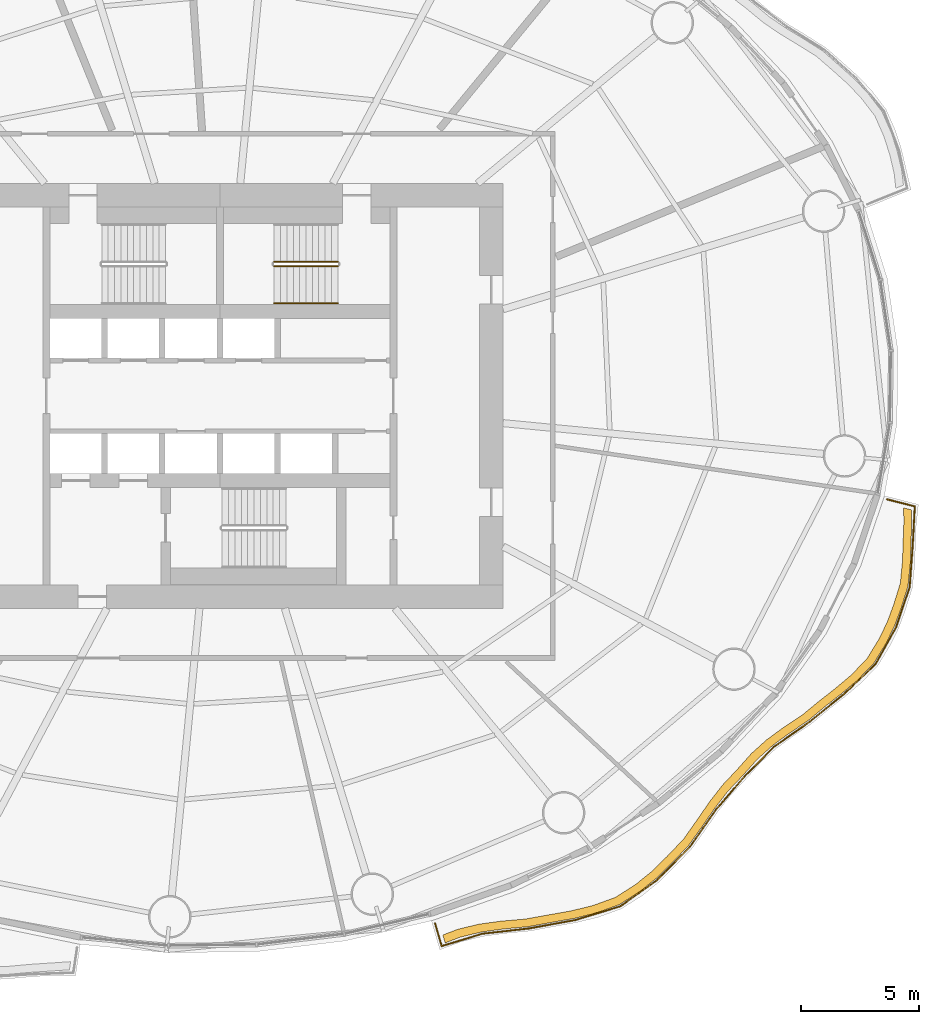
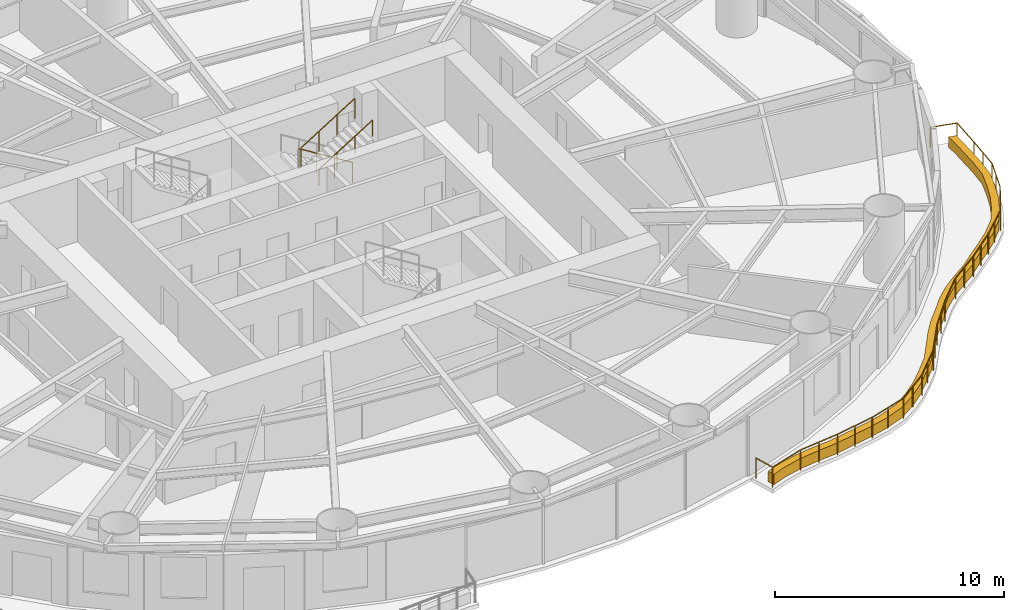
# One storey, part 14 of 16: 4 railings, 1 covering.
"""IFC4 building model written with IfcOpenShell, lengths in metres."""

from ifc_helpers import new_model, si_unit, direction, frame, origin, origin_2d, place, context, subcontext, project, spatial, polyline, circle, outline, extrude, material, type_object, element, save


model = new_model("IFC4")

# Units and contexts
model_context = context("Model", 3, precision=1e-05, world=origin(), true_north=direction((0.0, 1.0)))
body_context = subcontext(model_context, "Body", "Model", "MODEL_VIEW")
ifc_project = project(units=[si_unit("LENGTHUNIT", "METRE"), si_unit("AREAUNIT", "SQUARE_METRE"), si_unit("VOLUMEUNIT", "CUBIC_METRE"), si_unit("PLANEANGLEUNIT", "RADIAN"), si_unit("MASSUNIT", "GRAM", prefix="KILO")], contexts=[model_context])

# Site, building, storey
site_placement = place(None, origin())
site = spatial("IfcSite", under=ifc_project, at=site_placement, CompositionType="ELEMENT")
building_placement = place(site_placement, origin())
building = spatial("IfcBuilding", under=site, at=building_placement, Name="Vermilion Reach Broadcast Tower", CompositionType="ELEMENT")
storey_placement = place(building_placement, frame((0.0, 0.0, 50.800048828125)))
storey = spatial("IfcBuildingStorey", under=building, at=storey_placement, Name="L09", CompositionType="ELEMENT", Elevation=50.800048828125)

# Covering
ifc_material_1 = material(Name="Planting soil and greenery")
covering_type = type_object("IfcCoveringType", Name="Balcony PLANTER", PredefinedType="USERDEFINED", material=ifc_material_1)
covering_placement = place(storey_placement, origin())
element("IfcCovering", 1, at=covering_placement, inside=storey, type_object=covering_type, Name="PLANTER L09 group 4", ObjectType="PLANTER", PredefinedType="USERDEFINED", context=body_context, shape_type="SweptSolid", body=[
    extrude(outline(polyline([(3.545166015625, -23.172607421875), (4.1845703125, -22.927734375), (5.08837890625, -22.70849609375), (6.0244140625, -22.580322265625), (7.067138671875, -22.484619140625), (8.088134765625, -22.296875), (9.02001953125, -22.13134765625), (9.926025390625, -21.912841796875), (10.92138671875, -21.5517578125), (11.795166015625, -20.996826171875), (12.49365234375, -20.43212890625), (13.144775390625, -19.79345703125), (13.86181640625, -19.041748046875), (14.455078125, -18.20849609375), (14.96923828125, -17.462158203125), (15.51611328125, -16.75537109375), (16.16748046875, -16.066650390625), (16.779541015625, -15.38134765625), (17.413818359375, -14.81103515625), (18.10986328125, -14.298828125), (18.921875, -13.755615234375), (19.66162109375, -13.14013671875), (20.342041015625, -12.608154296875), (20.995849609375, -12.05712890625), (21.69921875, -11.333984375), (22.210693359375, -10.498779296875), (22.5693359375, -9.775390625), (22.853759765625, -9.013427734375), (23.148193359375, -8.07470703125), (23.24951171875, -7.103271484375), (23.276611328125, -6.27783203125), (23.3076171875, -5.45361328125), (23.304443359375, -4.829833984375), (22.96533203125, -4.743896484375), (22.975830078125, -5.341552734375), (22.945068359375, -6.165771484375), (22.91796875, -6.9912109375), (22.825927734375, -7.938232421875), (22.542236328125, -8.853271484375), (22.258056640625, -9.615234375), (21.8994140625, -10.3388671875), (21.39990234375, -11.15234375), (20.71044921875, -11.854736328125), (20.056396484375, -12.405517578125), (19.3759765625, -12.937744140625), (18.65087890625, -13.5341796875), (17.854248046875, -14.059814453125), (17.158203125, -14.572021484375), (16.52392578125, -15.14208984375), (15.927734375, -15.811767578125), (15.293212890625, -16.485595703125), (14.746337890625, -17.192138671875), (14.232177734375, -17.938720703125), (13.65576171875, -18.7587890625), (12.956298828125, -19.498291015625), (12.305419921875, -20.13720703125), (11.60693359375, -20.701904296875), (10.750732421875, -21.24609375), (9.7734375, -21.597900390625), (8.867431640625, -21.81640625), (7.935546875, -21.98193359375), (6.9326171875, -22.16162109375), (5.908203125, -22.25), (4.97216796875, -22.378173828125), (4.068359375, -22.59765625), (3.447265625, -22.836669921875), (3.545166015625, -23.172607421875)])), origin(), (0.0, 0.0, 1.0), 0.550048828125),
])

# Railings
ifc_material_2 = material(Name="Stainless steel 316 balustrade", Category="steel")
railing_type_1 = type_object("IfcRailingType", Name="Balcony guard 1100", PredefinedType="BALUSTRADE", material=ifc_material_2)
railing_1_placement = place(storey_placement, frame((3.1162109375, -22.342529296875, 0.0)))
element("IfcRailing", 2, at=railing_1_placement, inside=storey, type_object=railing_type_1, Name="Balcony guard L09 group 4", PredefinedType="BALUSTRADE", context=body_context, shape_type="SweptSolid", body=[
    extrude(circle(Radius=0.02490234375, at=origin_2d()), frame((0.0, 0.0, 1.0751953125), z_axis=(0.279618164465, -0.960111286311, 0.0), x_axis=(0.960111286311, 0.279618164465, 0.0)), (0.0, 0.0, 1.0), 1.006591796875),
    extrude(circle(Radius=0.02490234375, at=origin_2d()), frame((0.281494140625, -0.966552734375, 1.0751953125), z_axis=(0.956286113597, 0.292432674203, 0.0), x_axis=(-0.292432674203, 0.956286113597, 0.0)), (0.0, 0.0, 1.0), 1.7958984375),
    extrude(circle(Radius=0.02490234375, at=origin_2d()), frame((1.998779296875, -0.44140625, 1.0751953125), z_axis=(0.993604630935, 0.112915177832, 0.0), x_axis=(-0.112915177832, 0.993604630935, 0.0)), (0.0, 0.0, 1.0), 1.99560546875),
    extrude(circle(Radius=0.02490234375, at=origin_2d()), frame((3.981689453125, -0.216064453125, 1.0751953125), z_axis=(0.98392289266, 0.178593788525, 0.0), x_axis=(-0.178593788525, 0.98392289266, 0.0)), (0.0, 0.0, 1.0), 1.989013671875),
    extrude(circle(Radius=0.02490234375, at=origin_2d()), frame((5.938720703125, 0.13916015625, 1.0751953125), z_axis=(0.956415282314, 0.292009944619, 0.0), x_axis=(-0.292009944619, 0.956415282314, 0.0)), (0.0, 0.0, 1.0), 1.992431640625),
    extrude(circle(Radius=0.02490234375, at=origin_2d()), frame((7.84423828125, 0.720947265625, 1.0751953125), z_axis=(0.814712880035, 0.579864573073, 0.0), x_axis=(-0.579864573073, 0.814712880035, 0.0)), (0.0, 0.0, 1.0), 1.9345703125),
    extrude(circle(Radius=0.02490234375, at=origin_2d()), frame((9.42041015625, 1.8427734375, 1.0751953125), z_axis=(0.701718340663, 0.712454468985, 0.0), x_axis=(-0.712454468985, 0.701718340663, 0.0)), (0.0, 0.0, 1.0), 1.95556640625),
    extrude(circle(Radius=0.02490234375, at=origin_2d()), frame((10.792724609375, 3.236083984375, 1.0751953125), z_axis=(0.574554853944, 0.818466077372, 0.0), x_axis=(-0.818466077372, 0.574554853944, 0.0)), (0.0, 0.0, 1.0), 1.933837890625),
    extrude(circle(Radius=0.02490234375, at=origin_2d()), frame((11.90380859375, 4.81884765625, 1.0751953125), z_axis=(0.651891644523, 0.758312128217, 0.0), x_axis=(-0.758312128217, 0.651891644523, 0.0)), (0.0, 0.0, 1.0), 1.844482421875),
    extrude(circle(Radius=0.02490234375, at=origin_2d()), frame((13.106201171875, 6.217529296875, 1.0751953125), z_axis=(0.704418322359, 0.709785056989, 0.0), x_axis=(-0.709785056989, 0.704418322359, 0.0)), (0.0, 0.0, 1.0), 1.774169921875),
    extrude(circle(Radius=0.02490234375, at=origin_2d()), frame((14.35595703125, 7.476806640625, 1.0751953125), z_axis=(0.818883840318, 0.573959280843, 0.0), x_axis=(-0.573959280843, 0.818883840318, 0.0)), (0.0, 0.0, 1.0), 1.84619140625),
    extrude(circle(Radius=0.02490234375, at=origin_2d()), frame((15.86767578125, 8.536376953125, 1.0751953125), z_axis=(0.777344223138, 0.629075479377, 0.0), x_axis=(-0.629075479377, 0.777344223138, 0.0)), (0.0, 0.0, 1.0), 1.8310546875),
    extrude(circle(Radius=0.02490234375, at=origin_2d()), frame((17.291015625, 9.688232421875, 1.0751953125), z_axis=(0.728606786604, 0.6849322233, 0.0), x_axis=(-0.6849322233, 0.728606786604, 0.0)), (0.0, 0.0, 1.0), 1.866943359375),
    extrude(circle(Radius=0.02490234375, at=origin_2d()), frame((18.6513671875, 10.967041015625, 1.0751953125), z_axis=(0.487482181995, 0.873132935032, 0.0), x_axis=(-0.873132935032, 0.487482181995, 0.0)), (0.0, 0.0, 1.0), 1.791015625),
    extrude(circle(Radius=0.02490234375, at=origin_2d()), frame((19.5244140625, 12.53076171875, 1.0751953125), z_axis=(0.322519475422, 0.946562828329, 0.0), x_axis=(-0.946562828329, 0.322519475422, 0.0)), (0.0, 0.0, 1.0), 1.80224609375),
    extrude(circle(Radius=0.02490234375, at=origin_2d()), frame((20.105712890625, 14.23681640625, 1.0751953125), z_axis=(0.072274260578, 0.997384795983, 0.0), x_axis=(-0.997384795983, 0.072274260578, 0.0)), (0.0, 0.0, 1.0), 1.80712890625),
    extrude(circle(Radius=0.02490234375, at=origin_2d()), frame((20.236328125, 16.039306640625, 1.0751953125), z_axis=(0.053582915244, 0.998563403693, 0.0), x_axis=(-0.998563403693, 0.053582915244, 0.0)), (0.0, 0.0, 1.0), 1.626708984375),
    extrude(circle(Radius=0.02490234375, at=origin_2d()), frame((20.323486328125, 17.66357421875, 1.0751953125), z_axis=(-0.969320589316, 0.245799908725, 0.0), x_axis=(-0.245799908725, -0.969320589316, 0.0)), (0.0, 0.0, 1.0), 1.2138671875),
    extrude(circle(Radius=0.02490234375, at=origin_2d()), origin(), (0.0, 0.0, 1.0), 1.050048828125),
    extrude(circle(Radius=0.02490234375, at=origin_2d()), frame((0.281494140625, -0.966552734375, 0.0)), (0.0, 0.0, 1.0), 1.050048828125),
    extrude(circle(Radius=0.02490234375, at=origin_2d()), frame((1.998779296875, -0.44140625, 0.0)), (0.0, 0.0, 1.0), 1.050048828125),
    extrude(circle(Radius=0.02490234375, at=origin_2d()), frame((2.990234375, -0.32861328125, 0.0)), (0.0, 0.0, 1.0), 1.050048828125),
    extrude(circle(Radius=0.02490234375, at=origin_2d()), frame((3.981689453125, -0.216064453125, 0.0)), (0.0, 0.0, 1.0), 1.050048828125),
    extrude(circle(Radius=0.02490234375, at=origin_2d()), frame((4.960205078125, -0.03857421875, 0.0)), (0.0, 0.0, 1.0), 1.050048828125),
    extrude(circle(Radius=0.02490234375, at=origin_2d()), frame((5.938720703125, 0.13916015625, 0.0)), (0.0, 0.0, 1.0), 1.050048828125),
    extrude(circle(Radius=0.02490234375, at=origin_2d()), frame((6.8916015625, 0.43017578125, 0.0)), (0.0, 0.0, 1.0), 1.050048828125),
    extrude(circle(Radius=0.02490234375, at=origin_2d()), frame((7.84423828125, 0.720947265625, 0.0)), (0.0, 0.0, 1.0), 1.050048828125),
    extrude(circle(Radius=0.02490234375, at=origin_2d()), frame((8.63232421875, 1.28173828125, 0.0)), (0.0, 0.0, 1.0), 1.050048828125),
    extrude(circle(Radius=0.02490234375, at=origin_2d()), frame((9.42041015625, 1.8427734375, 0.0)), (0.0, 0.0, 1.0), 1.050048828125),
    extrude(circle(Radius=0.02490234375, at=origin_2d()), frame((10.1064453125, 2.53955078125, 0.0)), (0.0, 0.0, 1.0), 1.050048828125),
    extrude(circle(Radius=0.02490234375, at=origin_2d()), frame((10.792724609375, 3.236083984375, 0.0)), (0.0, 0.0, 1.0), 1.050048828125),
    extrude(circle(Radius=0.02490234375, at=origin_2d()), frame((11.34814453125, 4.02734375, 0.0)), (0.0, 0.0, 1.0), 1.050048828125),
    extrude(circle(Radius=0.02490234375, at=origin_2d()), frame((11.90380859375, 4.81884765625, 0.0)), (0.0, 0.0, 1.0), 1.050048828125),
    extrude(circle(Radius=0.02490234375, at=origin_2d()), frame((12.5048828125, 5.51806640625, 0.0)), (0.0, 0.0, 1.0), 1.050048828125),
    extrude(circle(Radius=0.02490234375, at=origin_2d()), frame((13.106201171875, 6.217529296875, 0.0)), (0.0, 0.0, 1.0), 1.050048828125),
    extrude(circle(Radius=0.02490234375, at=origin_2d()), frame((14.35595703125, 7.476806640625, 0.0)), (0.0, 0.0, 1.0), 1.050048828125),
    extrude(circle(Radius=0.02490234375, at=origin_2d()), frame((15.11181640625, 8.006591796875, 0.0)), (0.0, 0.0, 1.0), 1.050048828125),
    extrude(circle(Radius=0.02490234375, at=origin_2d()), frame((15.86767578125, 8.536376953125, 0.0)), (0.0, 0.0, 1.0), 1.050048828125),
    extrude(circle(Radius=0.02490234375, at=origin_2d()), frame((16.579345703125, 9.1123046875, 0.0)), (0.0, 0.0, 1.0), 1.050048828125),
    extrude(circle(Radius=0.02490234375, at=origin_2d()), frame((17.291015625, 9.688232421875, 0.0)), (0.0, 0.0, 1.0), 1.050048828125),
    extrude(circle(Radius=0.02490234375, at=origin_2d()), frame((17.97119140625, 10.32763671875, 0.0)), (0.0, 0.0, 1.0), 1.050048828125),
    extrude(circle(Radius=0.02490234375, at=origin_2d()), frame((18.6513671875, 10.967041015625, 0.0)), (0.0, 0.0, 1.0), 1.050048828125),
    extrude(circle(Radius=0.02490234375, at=origin_2d()), frame((19.5244140625, 12.53076171875, 0.0)), (0.0, 0.0, 1.0), 1.050048828125),
    extrude(circle(Radius=0.02490234375, at=origin_2d()), frame((19.81494140625, 13.3837890625, 0.0)), (0.0, 0.0, 1.0), 1.050048828125),
    extrude(circle(Radius=0.02490234375, at=origin_2d()), frame((20.105712890625, 14.23681640625, 0.0)), (0.0, 0.0, 1.0), 1.050048828125),
    extrude(circle(Radius=0.02490234375, at=origin_2d()), frame((20.1708984375, 15.13818359375, 0.0)), (0.0, 0.0, 1.0), 1.050048828125),
    extrude(circle(Radius=0.02490234375, at=origin_2d()), frame((20.236328125, 16.039306640625, 0.0)), (0.0, 0.0, 1.0), 1.050048828125),
    extrude(circle(Radius=0.02490234375, at=origin_2d()), frame((20.323486328125, 17.66357421875, 0.0)), (0.0, 0.0, 1.0), 1.050048828125),
    extrude(circle(Radius=0.02490234375, at=origin_2d()), frame((19.14697265625, 17.9619140625, 0.0)), (0.0, 0.0, 1.0), 1.050048828125),
])
ifc_material_3 = material(Name="Stainless steel", Category="steel")
railing_type_2 = type_object("IfcRailingType", Name="Stair guard 1100", PredefinedType="GUARDRAIL", material=ifc_material_3)
railing_2_placement = place(storey_placement, frame((-1.0, 5.68994140625, 0.168212890625)))
element("IfcRailing", 3, at=railing_2_placement, inside=storey, type_object=railing_type_2, Name="L09 ST2 stair guard 1", PredefinedType="GUARDRAIL", context=body_context, shape_type="SweptSolid", body=[
    extrude(circle(Radius=0.02392578125, at=origin_2d()), frame((0.0, 0.0, 1.076171875), z_axis=(-0.84882087487, 0.0, 0.528680548522), x_axis=(0.0, -1.0, 0.0)), (0.0, 0.0, 1.0), 3.180908203125),
    extrude(circle(Radius=0.02099609375, at=origin_2d()), origin(), (0.0, 0.0, 1.0), 1.052001953125),
    extrude(circle(Radius=0.02099609375, at=origin_2d()), frame((-0.89990234375, 0.0, 0.560546875)), (0.0, 0.0, 1.0), 1.052001953125),
    extrude(circle(Radius=0.02099609375, at=origin_2d()), frame((-1.800048828125, 0.0, 1.12109375)), (0.0, 0.0, 1.0), 1.052001953125),
    extrude(circle(Radius=0.02099609375, at=origin_2d()), frame((-2.699951171875, 0.0, 1.681640625)), (0.0, 0.0, 1.0), 1.052001953125),
])
railing_3_placement = place(storey_placement, frame((-3.699951171875, 5.489990234375, 2.01806640625)))
element("IfcRailing", 4, at=railing_3_placement, inside=storey, type_object=railing_type_2, Name="L09 ST2 stair guard 3", PredefinedType="GUARDRAIL", context=body_context, shape_type="SweptSolid", body=[
    extrude(circle(Radius=0.02392578125, at=origin_2d()), frame((0.0, 0.0, 1.076171875), z_axis=(0.848786430784, 0.0, 0.528735846068), x_axis=(0.0, 1.0, 0.0)), (0.0, 0.0, 1.0), 3.180908203125),
    extrude(circle(Radius=0.02099609375, at=origin_2d()), origin(), (0.0, 0.0, 1.0), 1.052001953125),
    extrude(circle(Radius=0.02099609375, at=origin_2d()), frame((0.89990234375, 0.0, 0.560546875)), (0.0, 0.0, 1.0), 1.052001953125),
    extrude(circle(Radius=0.02099609375, at=origin_2d()), frame((1.800048828125, 0.0, 1.121337890625)), (0.0, 0.0, 1.0), 1.052001953125),
    extrude(circle(Radius=0.02099609375, at=origin_2d()), frame((2.699951171875, 0.0, 1.681884765625)), (0.0, 0.0, 1.0), 1.052001953125),
])
ifc_material_4 = material(Name="Stainless steel", Category="steel")
railing_type_3 = type_object("IfcRailingType", Name="Stair handrail", PredefinedType="HANDRAIL", material=ifc_material_4)
railing_4_placement = place(storey_placement, frame((-3.699951171875, 3.929931640625, 2.01806640625)))
element("IfcRailing", 5, at=railing_4_placement, inside=storey, type_object=railing_type_3, Name="L09 ST2 stair handrail 2", PredefinedType="HANDRAIL", context=body_context, shape_type="SweptSolid", body=[
    extrude(circle(Radius=0.02392578125, at=origin_2d()), frame((0.0, 0.0, 0.8759765625), z_axis=(0.848786430784, 0.0, 0.528735846068), x_axis=(0.0, 1.0, 0.0)), (0.0, 0.0, 1.0), 3.180908203125),
    extrude(circle(Radius=0.02099609375, at=origin_2d()), origin(), (0.0, 0.0, 1.0), 0.851806640625),
    extrude(circle(Radius=0.02099609375, at=origin_2d()), frame((0.89990234375, 0.0, 0.560546875)), (0.0, 0.0, 1.0), 0.851806640625),
    extrude(circle(Radius=0.02099609375, at=origin_2d()), frame((1.800048828125, 0.0, 1.121337890625)), (0.0, 0.0, 1.0), 0.851806640625),
    extrude(circle(Radius=0.02099609375, at=origin_2d()), frame((2.699951171875, 0.0, 1.681884765625)), (0.0, 0.0, 1.0), 0.851806640625),
])

save(model, "model.ifc")
